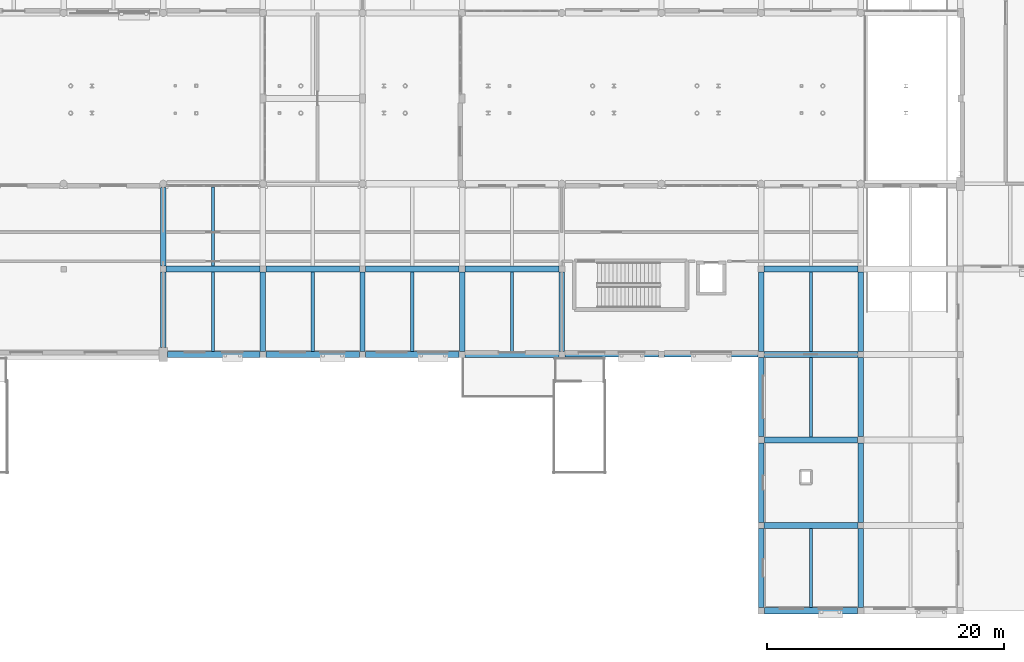
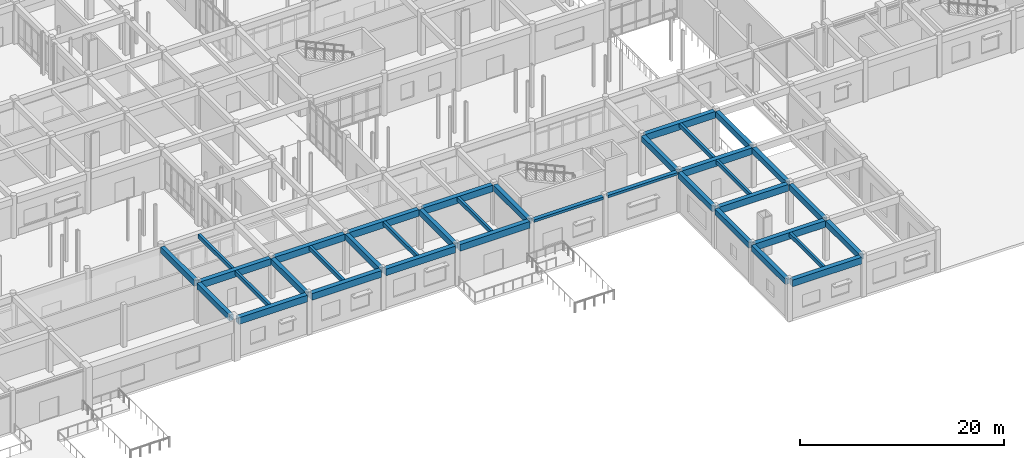
# One storey, part 37 of 121: 37 beams.
"""IFC4 building model written with IfcOpenShell, lengths in metres."""

from ifc_helpers import new_model, si_unit, direction, frame, origin, origin_2d, place, context, subcontext, project, spatial, rectangle, hollow_rectangle, extrude, material, material_profile, profile_set, type_object, element, save


model = new_model("IFC4")

# Units and contexts
model_context = context("Model", 3, precision=1e-05, world=origin(), true_north=direction((0.0, 1.0)))
body_context = subcontext(model_context, "Body", "Model", "MODEL_VIEW")
ifc_project = project(units=[si_unit("LENGTHUNIT", "METRE"), si_unit("AREAUNIT", "SQUARE_METRE"), si_unit("VOLUMEUNIT", "CUBIC_METRE"), si_unit("PLANEANGLEUNIT", "RADIAN"), si_unit("MASSUNIT", "GRAM", prefix="KILO")], contexts=[model_context])

# Site, building, storey
site_placement = place(None, origin())
site = spatial("IfcSite", under=ifc_project, at=site_placement, CompositionType="ELEMENT")
building_placement = place(site_placement, origin())
building = spatial("IfcBuilding", under=site, at=building_placement, Name="Malvenik Polytechnic", CompositionType="ELEMENT")
storey_placement = place(building_placement, origin())
storey = spatial("IfcBuildingStorey", under=building, at=storey_placement, Name="L00", CompositionType="ELEMENT", Elevation=0.0)

# Beams
ifc_material_1 = material(Name="Concrete C35/45", Category="concrete")
ifc_material_profile_1 = material_profile(ifc_material_1, rectangle(XDim=0.5, YDim=0.800048828125, at=origin_2d()), Name="RC BM 500x800")
ifc_profile_set_1 = profile_set([ifc_material_profile_1], Name="Concrete C35/45")
beam_type_1 = type_object("IfcBeamType", Name="STR-BM-B-02", PredefinedType="BEAM", material=ifc_profile_set_1)
beam_1_placement = place(storey_placement, frame((117.847900390625, 7.199951171875, 4.419921875), z_axis=(1.0, 0.0, 0.0), x_axis=(0.0, 1.0, 0.0)))
element("IfcBeam", 1, at=beam_1_placement, inside=storey, type_object=beam_type_1, Name="Primary Beam B-02 L00 #534", PredefinedType="BEAM", context=body_context, shape_type="SweptSolid", body=[
    extrude(rectangle(XDim=0.5, YDim=0.800048828125, at=origin_2d()), origin(), (0.0, 0.0, 1.0), 7.904052734375),
])
beam_2_placement = place(storey_placement, frame((117.873046875, 14.39990234375, 4.419921875), z_axis=(1.0, 0.0, 0.0), x_axis=(0.0, 1.0, 0.0)))
element("IfcBeam", 2, at=beam_2_placement, inside=storey, type_object=beam_type_1, Name="Primary Beam B-02 L00 #536", PredefinedType="BEAM", context=body_context, shape_type="SweptSolid", body=[
    extrude(rectangle(XDim=0.5, YDim=0.800048828125, at=origin_2d()), origin(), (0.0, 0.0, 1.0), 7.85400390625),
])
for number, where, z_axis, x_axis, name in (
    (3, (117.847900390625, 21.60009765625, 4.419921875), (1.0, 0.0, 0.0), (0.0, 1.0, 0.0), "Primary Beam B-02 L00 #542"),
    (4, (67.447998046875, 28.800048828125, 4.419921875), (1.0, 0.0, 0.0), (0.0, 1.0, 0.0), "Primary Beam B-02 L00 #546"),
    (5, (75.847900390625, 28.800048828125, 4.419921875), (1.0, 0.0, 0.0), (0.0, 1.0, 0.0), "Primary Beam B-02 L00 #547"),
    (6, (84.248046875, 28.800048828125, 4.419921875), (1.0, 0.0, 0.0), (0.0, 1.0, 0.0), "Primary Beam B-02 L00 #548"),
    (7, (92.64794921875, 28.800048828125, 4.419921875), (1.0, 0.0, 0.0), (0.0, 1.0, 0.0), "Primary Beam B-02 L00 #549"),
    (8, (117.847900390625, 28.800048828125, 4.419921875), (1.0, 0.0, 0.0), (0.0, 1.0, 0.0), "Primary Beam B-02 L00 #550"),
):
    element("IfcBeam", number, at=place(storey_placement, frame(where, z_axis=z_axis, x_axis=x_axis)), inside=storey, type_object=beam_type_1, Name=name, PredefinedType="BEAM", context=body_context, shape_type="SweptSolid", body=[
        extrude(rectangle(XDim=0.5, YDim=0.800048828125, at=origin_2d()), origin(), (0.0, 0.0, 1.0), 7.904052734375),
    ])
ifc_material_profile_2 = material_profile(ifc_material_1, rectangle(XDim=0.449951171875, YDim=0.699951171875, at=origin_2d()), Name="RC BM 450x700")
ifc_profile_set_2 = profile_set([ifc_material_profile_2], Name="Concrete C35/45")
beam_type_2 = type_object("IfcBeamType", Name="STR-BM-B-04", PredefinedType="BEAM", material=ifc_profile_set_2)
beam_3_placement = place(storey_placement, frame((67.199951171875, 22.197998046875, 4.469970703125), z_axis=(0.0, 1.0, 0.0), x_axis=(-1.0, 0.0, 0.0)))
element("IfcBeam", 9, at=beam_3_placement, inside=storey, type_object=beam_type_2, Name="Transverse Beam B-04 L00 #758", PredefinedType="BEAM", context=body_context, shape_type="SweptSolid", body=[
    extrude(rectangle(XDim=0.449951171875, YDim=0.699951171875, at=origin_2d()), origin(), (0.0, 0.0, 1.0), 6.35400390625),
])
beam_4_placement = place(storey_placement, frame((67.199951171875, 29.048095703125, 4.469970703125), z_axis=(0.0, 1.0, 0.0), x_axis=(-1.0, 0.0, 0.0)))
element("IfcBeam", 10, at=beam_4_placement, inside=storey, type_object=beam_type_2, Name="Transverse Beam B-04 L00 #759", PredefinedType="BEAM", context=body_context, shape_type="SweptSolid", body=[
    extrude(rectangle(XDim=0.449951171875, YDim=0.699951171875, at=origin_2d()), origin(), (0.0, 0.0, 1.0), 6.65380859375),
])
for number, where, z_axis, x_axis, name in (
    (11, (75.60009765625, 21.847900390625, 4.469970703125), (0.0, 1.0, 0.0), (-1.0, 0.0, 0.0), "Transverse Beam B-04 L00 #766"),
    (12, (84.0, 21.847900390625, 4.469970703125), (0.0, 1.0, 0.0), (-1.0, 0.0, 0.0), "Transverse Beam B-04 L00 #779"),
    (13, (92.39990234375, 21.847900390625, 4.469970703125), (0.0, 1.0, 0.0), (-1.0, 0.0, 0.0), "Transverse Beam B-04 L00 #794"),
    (14, (100.800048828125, 21.847900390625, 4.469970703125), (0.0, 1.0, 0.0), (-1.0, 0.0, 0.0), "Transverse Beam B-04 L00 #802"),
):
    element("IfcBeam", number, at=place(storey_placement, frame(where, z_axis=z_axis, x_axis=x_axis)), inside=storey, type_object=beam_type_2, Name=name, PredefinedType="BEAM", context=body_context, shape_type="SweptSolid", body=[
        extrude(rectangle(XDim=0.449951171875, YDim=0.699951171875, at=origin_2d()), origin(), (0.0, 0.0, 1.0), 6.7041015625),
    ])
for number, where, z_axis, x_axis, name in (
    (15, (117.60009765625, 0.27294921875, 4.469970703125), (0.0, 1.0, 0.0), (-1.0, 0.0, 0.0), "Transverse Beam B-04 L00 #812"),
    (16, (117.60009765625, 7.447998046875, 4.469970703125), (0.0, 1.0, 0.0), (-1.0, 0.0, 0.0), "Transverse Beam B-04 L00 #813"),
    (17, (117.60009765625, 14.673095703125, 4.469970703125), (0.0, 1.0, 0.0), (-1.0, 0.0, 0.0), "Transverse Beam B-04 L00 #814"),
):
    element("IfcBeam", number, at=place(storey_placement, frame(where, z_axis=z_axis, x_axis=x_axis)), inside=storey, type_object=beam_type_2, Name=name, PredefinedType="BEAM", context=body_context, shape_type="SweptSolid", body=[
        extrude(rectangle(XDim=0.449951171875, YDim=0.699951171875, at=origin_2d()), origin(), (0.0, 0.0, 1.0), 6.678955078125),
    ])
beam_5_placement = place(storey_placement, frame((117.60009765625, 21.847900390625, 4.469970703125), z_axis=(0.0, 1.0, 0.0), x_axis=(-1.0, 0.0, 0.0)))
element("IfcBeam", 18, at=beam_5_placement, inside=storey, type_object=beam_type_2, Name="Transverse Beam B-04 L00 #815", PredefinedType="BEAM", context=body_context, shape_type="SweptSolid", body=[
    extrude(rectangle(XDim=0.449951171875, YDim=0.699951171875, at=origin_2d()), origin(), (0.0, 0.0, 1.0), 6.7041015625),
])
for number, where, z_axis, x_axis, name in (
    (19, (126.0, 0.27294921875, 4.469970703125), (0.0, 1.0, 0.0), (-1.0, 0.0, 0.0), "Transverse Beam B-04 L00 #823"),
    (20, (126.0, 7.447998046875, 4.469970703125), (0.0, 1.0, 0.0), (-1.0, 0.0, 0.0), "Transverse Beam B-04 L00 #824"),
    (21, (126.0, 14.673095703125, 4.469970703125), (0.0, 1.0, 0.0), (-1.0, 0.0, 0.0), "Transverse Beam B-04 L00 #825"),
):
    element("IfcBeam", number, at=place(storey_placement, frame(where, z_axis=z_axis, x_axis=x_axis)), inside=storey, type_object=beam_type_2, Name=name, PredefinedType="BEAM", context=body_context, shape_type="SweptSolid", body=[
        extrude(rectangle(XDim=0.449951171875, YDim=0.699951171875, at=origin_2d()), origin(), (0.0, 0.0, 1.0), 6.678955078125),
    ])
beam_6_placement = place(storey_placement, frame((126.0, 21.847900390625, 4.469970703125), z_axis=(0.0, 1.0, 0.0), x_axis=(-1.0, 0.0, 0.0)))
element("IfcBeam", 22, at=beam_6_placement, inside=storey, type_object=beam_type_2, Name="Transverse Beam B-04 L00 #826", PredefinedType="BEAM", context=body_context, shape_type="SweptSolid", body=[
    extrude(rectangle(XDim=0.449951171875, YDim=0.699951171875, at=origin_2d()), origin(), (0.0, 0.0, 1.0), 6.7041015625),
])
ifc_material_2 = material(Name="Concrete C30/37", Category="concrete")
ifc_material_profile_3 = material_profile(ifc_material_2, rectangle(XDim=0.280029296875, YDim=0.47998046875, at=origin_2d()), Name="RC JST 280x480")
ifc_profile_set_3 = profile_set([ifc_material_profile_3], Name="Concrete C30/37")
beam_type_3 = type_object("IfcBeamType", Name="STR-BM-J-01", PredefinedType="JOIST", material=ifc_profile_set_3)
beam_7_placement = place(storey_placement, frame((71.39990234375, 21.85791015625, 4.580078125), z_axis=(0.0, 1.0, 0.0), x_axis=(-1.0, 0.0, 0.0)))
element("IfcBeam", 23, at=beam_7_placement, inside=storey, type_object=beam_type_3, Name="Secondary Rib Joist J-01 L00 #895", PredefinedType="JOIST", context=body_context, shape_type="SweptSolid", body=[
    extrude(rectangle(XDim=0.280029296875, YDim=0.47998046875, at=origin_2d()), origin(), (0.0, 0.0, 1.0), 6.694091796875),
])
beam_8_placement = place(storey_placement, frame((71.39990234375, 29.048095703125, 4.580078125), z_axis=(0.0, 1.0, 0.0), x_axis=(-1.0, 0.0, 0.0)))
element("IfcBeam", 24, at=beam_8_placement, inside=storey, type_object=beam_type_3, Name="Secondary Rib Joist J-01 L00 #896", PredefinedType="JOIST", context=body_context, shape_type="SweptSolid", body=[
    extrude(rectangle(XDim=0.280029296875, YDim=0.47998046875, at=origin_2d()), origin(), (0.0, 0.0, 1.0), 6.69384765625),
])
for number, where, z_axis, x_axis, name in (
    (25, (79.800048828125, 21.85791015625, 4.580078125), (0.0, 1.0, 0.0), (-1.0, 0.0, 0.0), "Secondary Rib Joist J-01 L00 #899"),
    (26, (88.199951171875, 21.85791015625, 4.580078125), (0.0, 1.0, 0.0), (-1.0, 0.0, 0.0), "Secondary Rib Joist J-01 L00 #908"),
    (27, (96.60009765625, 21.85791015625, 4.580078125), (0.0, 1.0, 0.0), (-1.0, 0.0, 0.0), "Secondary Rib Joist J-01 L00 #916"),
):
    element("IfcBeam", number, at=place(storey_placement, frame(where, z_axis=z_axis, x_axis=x_axis)), inside=storey, type_object=beam_type_3, Name=name, PredefinedType="JOIST", context=body_context, shape_type="SweptSolid", body=[
        extrude(rectangle(XDim=0.280029296875, YDim=0.47998046875, at=origin_2d()), origin(), (0.0, 0.0, 1.0), 6.694091796875),
    ])
beam_9_placement = place(storey_placement, frame((121.800048828125, 0.258056640625, 4.580078125), z_axis=(0.0, 1.0, 0.0), x_axis=(-1.0, 0.0, 0.0)))
element("IfcBeam", 28, at=beam_9_placement, inside=storey, type_object=beam_type_3, Name="Secondary Rib Joist J-01 L00 #923", PredefinedType="JOIST", context=body_context, shape_type="SweptSolid", body=[
    extrude(rectangle(XDim=0.280029296875, YDim=0.47998046875, at=origin_2d()), origin(), (0.0, 0.0, 1.0), 6.69384765625),
])
for number, where, z_axis, x_axis, name in (
    (29, (121.800048828125, 14.64794921875, 4.580078125), (0.0, 1.0, 0.0), (-1.0, 0.0, 0.0), "Secondary Rib Joist J-01 L00 #924"),
    (30, (121.800048828125, 21.847900390625, 4.580078125), (0.0, 1.0, 0.0), (-1.0, 0.0, 0.0), "Secondary Rib Joist J-01 L00 #925"),
):
    element("IfcBeam", number, at=place(storey_placement, frame(where, z_axis=z_axis, x_axis=x_axis)), inside=storey, type_object=beam_type_3, Name=name, PredefinedType="JOIST", context=body_context, shape_type="SweptSolid", body=[
        extrude(rectangle(XDim=0.280029296875, YDim=0.47998046875, at=origin_2d()), origin(), (0.0, 0.0, 1.0), 6.7041015625),
    ])
ifc_material_3 = material(Name="Steel S355J2H", Category="steel")
ifc_material_profile_4 = material_profile(ifc_material_3, hollow_rectangle(XDim=0.449951171875, YDim=0.300048828125, WallThickness=0.012451171875, at=origin_2d()), Name="RHS 450x300x12.5")
ifc_profile_set_4 = profile_set([ifc_material_profile_4], Name="Steel S355J2H")
beam_type_4 = type_object("IfcBeamType", Name="STR-BM-SB-07", PredefinedType="BEAM", material=ifc_profile_set_4)
beam_10_placement = place(storey_placement, frame((101.048095703125, 21.60009765625, 4.657958984375), z_axis=(1.0, 0.0, 0.0), x_axis=(0.0, 1.0, 0.0)))
element("IfcBeam", 31, at=beam_10_placement, inside=storey, type_object=beam_type_4, Name="Beam SB-07 #1", PredefinedType="BEAM", context=body_context, shape_type="SweptSolid", body=[
    extrude(hollow_rectangle(XDim=0.449951171875, YDim=0.300048828125, WallThickness=0.012451171875, at=origin_2d()), origin(), (0.0, 0.0, 1.0), 7.90380859375),
])
beam_11_placement = place(storey_placement, frame((109.447998046875, 21.60009765625, 4.657958984375), z_axis=(1.0, 0.0, 0.0), x_axis=(0.0, 1.0, 0.0)))
element("IfcBeam", 32, at=beam_11_placement, inside=storey, type_object=beam_type_4, Name="Beam SB-07 #2", PredefinedType="BEAM", context=body_context, shape_type="SweptSolid", body=[
    extrude(hollow_rectangle(XDim=0.449951171875, YDim=0.300048828125, WallThickness=0.012451171875, at=origin_2d()), origin(), (0.0, 0.0, 1.0), 7.904052734375),
])
ifc_material_4 = material(Name="Precast concrete C40/50", Category="concrete")
ifc_material_profile_5 = material_profile(ifc_material_4, rectangle(XDim=0.52001953125, YDim=0.800048828125, at=origin_2d()), Name="PC SPN 520x800")
ifc_profile_set_5 = profile_set([ifc_material_profile_5], Name="Precast concrete C40/50")
beam_type_5 = type_object("IfcBeamType", Name="STR-BM-SP-01", PredefinedType="SPANDREL", material=ifc_profile_set_5)
beam_12_placement = place(storey_placement, frame((117.873046875, 0.0, 4.419921875), z_axis=(1.0, 0.0, 0.0), x_axis=(0.0, 1.0, 0.0)))
element("IfcBeam", 33, at=beam_12_placement, inside=storey, type_object=beam_type_5, Name="Primary Beam SP-01 L00 #532", PredefinedType="SPANDREL", context=body_context, shape_type="SweptSolid", body=[
    extrude(rectangle(XDim=0.52001953125, YDim=0.800048828125, at=origin_2d()), origin(), (0.0, 0.0, 1.0), 7.85400390625),
])
beam_13_placement = place(storey_placement, frame((67.548095703125, 21.60009765625, 4.419921875), z_axis=(1.0, 0.0, 0.0), x_axis=(0.0, 1.0, 0.0)))
element("IfcBeam", 34, at=beam_13_placement, inside=storey, type_object=beam_type_5, Name="Primary Beam SP-01 L00 #538", PredefinedType="SPANDREL", context=body_context, shape_type="SweptSolid", body=[
    extrude(rectangle(XDim=0.52001953125, YDim=0.800048828125, at=origin_2d()), origin(), (0.0, 0.0, 1.0), 7.803955078125),
])
for number, where, z_axis, x_axis, name in (
    (35, (75.847900390625, 21.60009765625, 4.419921875), (1.0, 0.0, 0.0), (0.0, 1.0, 0.0), "Primary Beam SP-01 L00 #539"),
    (36, (84.248046875, 21.60009765625, 4.419921875), (1.0, 0.0, 0.0), (0.0, 1.0, 0.0), "Primary Beam SP-01 L00 #540"),
    (37, (92.64794921875, 21.60009765625, 4.419921875), (1.0, 0.0, 0.0), (0.0, 1.0, 0.0), "Primary Beam SP-01 L00 #541"),
):
    element("IfcBeam", number, at=place(storey_placement, frame(where, z_axis=z_axis, x_axis=x_axis)), inside=storey, type_object=beam_type_5, Name=name, PredefinedType="SPANDREL", context=body_context, shape_type="SweptSolid", body=[
        extrude(rectangle(XDim=0.52001953125, YDim=0.800048828125, at=origin_2d()), origin(), (0.0, 0.0, 1.0), 7.904052734375),
    ])

save(model, "model.ifc")
